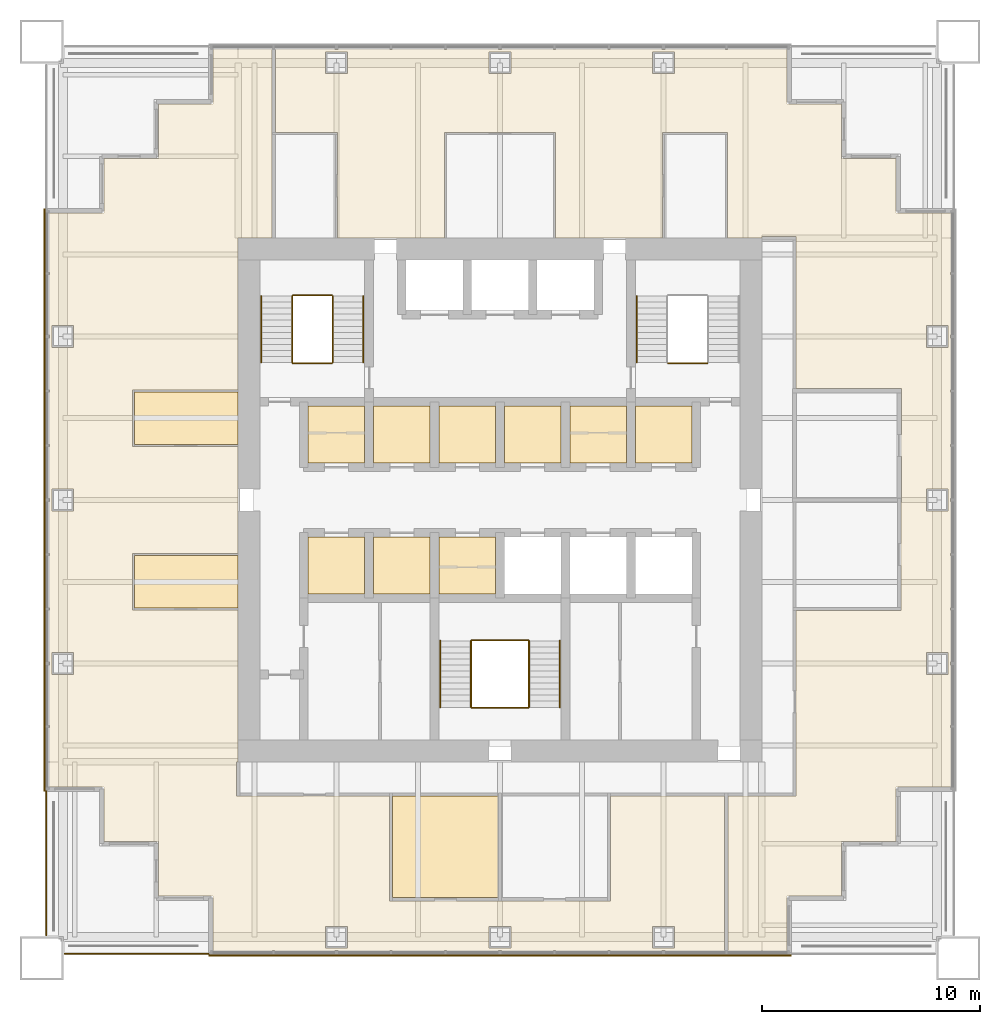
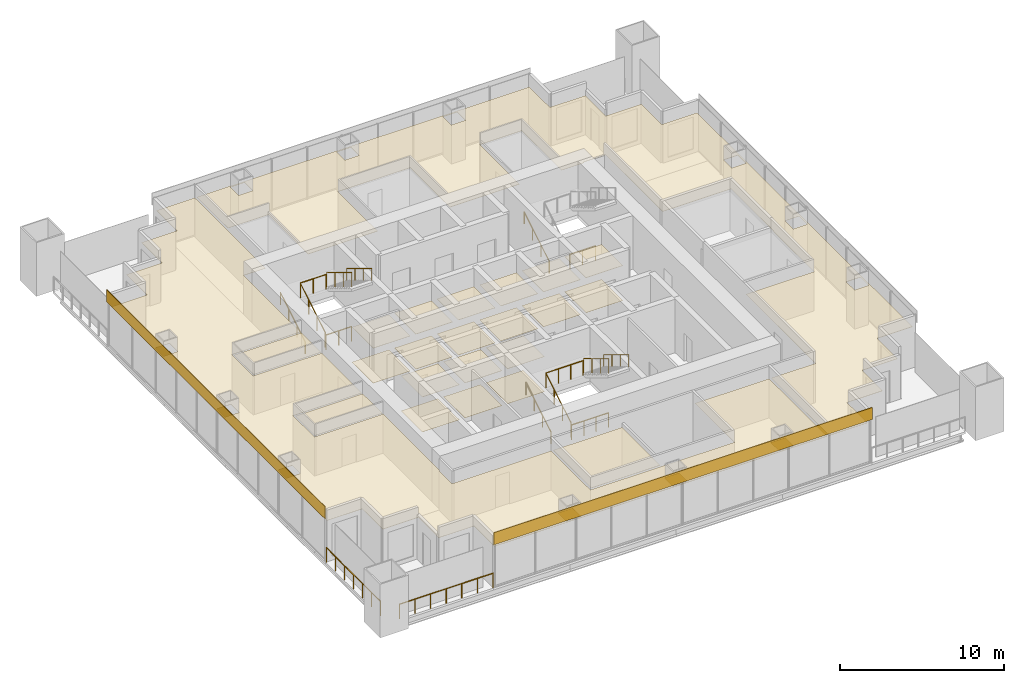
# One storey, part 13 of 14: 25 coverings, 16 railings.
"""IFC4 building model written with IfcOpenShell, lengths in metres."""

from ifc_helpers import new_model, si_unit, direction, frame, origin, origin_2d, place, context, subcontext, project, spatial, polyline, rectangle, circle, outline, extrude, material, layer, layer_set, type_object, element, save


model = new_model("IFC4")

# Units and contexts
model_context = context("Model", 3, precision=1e-05, world=origin(), true_north=direction((0.0, 1.0)))
body_context = subcontext(model_context, "Body", "Model", "MODEL_VIEW")
ifc_project = project(units=[si_unit("LENGTHUNIT", "METRE"), si_unit("AREAUNIT", "SQUARE_METRE"), si_unit("VOLUMEUNIT", "CUBIC_METRE"), si_unit("PLANEANGLEUNIT", "RADIAN"), si_unit("MASSUNIT", "GRAM", prefix="KILO")], contexts=[model_context])

# Site, building, storey
site_placement = place(None, origin())
site = spatial("IfcSite", under=ifc_project, at=site_placement, CompositionType="ELEMENT")
building_placement = place(site_placement, origin())
building = spatial("IfcBuilding", under=site, at=building_placement, Name="Tarangal Relay Tower", CompositionType="ELEMENT")
storey_placement = place(building_placement, frame((0.0, 0.0, 291.89990234375)))
storey = spatial("IfcBuildingStorey", under=building, at=storey_placement, Name="L64", CompositionType="ELEMENT", Elevation=291.89990234375)

# Coverings
ifc_material_1 = material(Name="Anti-static vinyl flooring", Category="plastic")
ifc_layer_1 = layer(ifc_material_1, 0.010009765625)
ifc_layer_set_1 = layer_set([ifc_layer_1], Name="Anti-static vinyl floor")
covering_type_1 = type_object("IfcCoveringType", Name="Anti-static vinyl floor", PredefinedType="FLOORING", material=ifc_layer_set_1)
covering_1_placement = place(storey_placement, origin())
element("IfcCovering", 1, at=covering_1_placement, inside=storey, type_object=covering_type_1, Name="Floor finish FL1 L64-D1", PredefinedType="FLOORING", context=body_context, shape_type="SweptSolid", body=[
    extrude(outline(polyline([(-8.800048828125, 1.699951171875), (-6.199951171875, 1.699951171875), (-6.199951171875, 4.300048828125), (-8.800048828125, 4.300048828125), (-8.800048828125, 1.699951171875)])), origin(), (0.0, 0.0, 1.0), 0.010009765625),
])
covering_2_placement = place(storey_placement, origin())
element("IfcCovering", 2, at=covering_2_placement, inside=storey, type_object=covering_type_1, Name="Floor finish FL1 L64-D2", PredefinedType="FLOORING", context=body_context, shape_type="SweptSolid", body=[
    extrude(outline(polyline([(-5.800048828125, 1.699951171875), (-3.199951171875, 1.699951171875), (-3.199951171875, 4.300048828125), (-5.800048828125, 4.300048828125), (-5.800048828125, 1.699951171875)])), origin(), (0.0, 0.0, 1.0), 0.010009765625),
])
covering_3_placement = place(storey_placement, origin())
element("IfcCovering", 3, at=covering_3_placement, inside=storey, type_object=covering_type_1, Name="Floor finish FL1 L64-D3", PredefinedType="FLOORING", context=body_context, shape_type="SweptSolid", body=[
    extrude(outline(polyline([(-2.800048828125, 1.699951171875), (-0.199951171875, 1.699951171875), (-0.199951171875, 4.300048828125), (-2.800048828125, 4.300048828125), (-2.800048828125, 1.699951171875)])), origin(), (0.0, 0.0, 1.0), 0.010009765625),
])
covering_4_placement = place(storey_placement, origin())
element("IfcCovering", 4, at=covering_4_placement, inside=storey, type_object=covering_type_1, Name="Floor finish FL1 L64-T1", PredefinedType="FLOORING", context=body_context, shape_type="SweptSolid", body=[
    extrude(outline(polyline([(0.199951171875, 1.699951171875), (2.800048828125, 1.699951171875), (2.800048828125, 4.300048828125), (0.199951171875, 4.300048828125), (0.199951171875, 1.699951171875)])), origin(), (0.0, 0.0, 1.0), 0.010009765625),
])
covering_5_placement = place(storey_placement, origin())
element("IfcCovering", 5, at=covering_5_placement, inside=storey, type_object=covering_type_1, Name="Floor finish FL1 L64-T2", PredefinedType="FLOORING", context=body_context, shape_type="SweptSolid", body=[
    extrude(outline(polyline([(3.199951171875, 1.699951171875), (5.800048828125, 1.699951171875), (5.800048828125, 4.300048828125), (3.199951171875, 4.300048828125), (3.199951171875, 1.699951171875)])), origin(), (0.0, 0.0, 1.0), 0.010009765625),
])
covering_6_placement = place(storey_placement, origin())
element("IfcCovering", 6, at=covering_6_placement, inside=storey, type_object=covering_type_1, Name="Floor finish FL1 L64-T3", PredefinedType="FLOORING", context=body_context, shape_type="SweptSolid", body=[
    extrude(outline(polyline([(6.199951171875, 1.699951171875), (8.800048828125, 1.699951171875), (8.800048828125, 4.300048828125), (6.199951171875, 4.300048828125), (6.199951171875, 1.699951171875)])), origin(), (0.0, 0.0, 1.0), 0.010009765625),
])
covering_7_placement = place(storey_placement, origin())
element("IfcCovering", 7, at=covering_7_placement, inside=storey, type_object=covering_type_1, Name="Floor finish FL1 L64-S1", PredefinedType="FLOORING", context=body_context, shape_type="SweptSolid", body=[
    extrude(outline(polyline([(-8.800048828125, -4.300048828125), (-6.199951171875, -4.300048828125), (-6.199951171875, -1.699951171875), (-8.800048828125, -1.699951171875), (-8.800048828125, -4.300048828125)])), origin(), (0.0, 0.0, 1.0), 0.010009765625),
])
covering_8_placement = place(storey_placement, origin())
element("IfcCovering", 8, at=covering_8_placement, inside=storey, type_object=covering_type_1, Name="Floor finish FL1 L64-S2", PredefinedType="FLOORING", context=body_context, shape_type="SweptSolid", body=[
    extrude(outline(polyline([(-5.800048828125, -4.300048828125), (-3.199951171875, -4.300048828125), (-3.199951171875, -1.699951171875), (-5.800048828125, -1.699951171875), (-5.800048828125, -4.300048828125)])), origin(), (0.0, 0.0, 1.0), 0.010009765625),
])
covering_9_placement = place(storey_placement, origin())
element("IfcCovering", 9, at=covering_9_placement, inside=storey, type_object=covering_type_1, Name="Floor finish FL1 L64-S3", PredefinedType="FLOORING", context=body_context, shape_type="SweptSolid", body=[
    extrude(outline(polyline([(-2.800048828125, -4.300048828125), (-0.199951171875, -4.300048828125), (-0.199951171875, -1.699951171875), (-2.800048828125, -1.699951171875), (-2.800048828125, -4.300048828125)])), origin(), (0.0, 0.0, 1.0), 0.010009765625),
])
ifc_material_2 = material(Name="Black anodised aluminium cladding", Category="aluminium")
ifc_layer_2 = layer(ifc_material_2, 0.050048828125)
ifc_layer_set_2 = layer_set([ifc_layer_2], Name="Black metal spandrel band")
covering_type_2 = type_object("IfcCoveringType", Name="Black metal spandrel band", PredefinedType="CLADDING", material=ifc_layer_set_2)
for number, where, z_axis, x_axis, name in (
    (10, (0.0, -20.875, 3.250244140625), (0.0, 0.0, 1.0), (-1.0, 0.0, 0.0), "Spandrel band SB1 S L64"),
    (11, (-20.875, 0.0, 3.250244140625), (0.0, 0.0, 1.0), (0.0, 1.0, 0.0), "Spandrel band SB1 W L64"),
):
    element("IfcCovering", number, at=place(storey_placement, frame(where, z_axis=z_axis, x_axis=x_axis)), inside=storey, type_object=covering_type_2, Name=name, PredefinedType="CLADDING", context=body_context, shape_type="SweptSolid", body=[
        extrude(rectangle(XDim=26.699951171875, YDim=0.050048828125, at=origin_2d()), origin(), (0.0, 0.0, 1.0), 0.89990234375),
    ])

# Railings
ifc_material_3 = material(Name="Steel guard, black finish", Category="steel")
railing_type_1 = type_object("IfcRailingType", Name="Stair guard 1100", PredefinedType="GUARDRAIL", material=ifc_material_3)
railing_1_placement = place(storey_placement, frame((-9.530029296875, 6.300048828125, 0.166748046875)))
element("IfcRailing", 12, at=railing_1_placement, inside=storey, type_object=railing_type_1, Name="Stair ST-A guard GR1 L64 flight 1", PredefinedType="GUARDRAIL", context=body_context, shape_type="SweptSolid", body=[
    extrude(circle(Radius=0.02392578125, at=origin_2d()), frame((0.0, 0.0, 1.076171875), z_axis=(0.0, 0.85685617095, 0.515555527858), x_axis=(-1.0, 0.0, 0.0)), (0.0, 0.0, 1.0), 3.555908203125),
    extrude(circle(Radius=0.02099609375, at=origin_2d()), origin(), (0.0, 0.0, 1.0), 1.052001953125),
    extrude(circle(Radius=0.02099609375, at=origin_2d()), frame((0.0, 1.015625, 0.611083984375)), (0.0, 0.0, 1.0), 1.052001953125),
    extrude(circle(Radius=0.02099609375, at=origin_2d()), frame((0.0, 2.03125, 1.22216796875)), (0.0, 0.0, 1.0), 1.052001953125),
    extrude(circle(Radius=0.02099609375, at=origin_2d()), frame((0.0, 3.046875, 1.833251953125)), (0.0, 0.0, 1.0), 1.052001953125),
])
railing_2_placement = place(storey_placement, frame((-7.669921875, 9.346923828125, 2.166748046875)))
element("IfcRailing", 13, at=railing_2_placement, inside=storey, type_object=railing_type_1, Name="Stair ST-A guard GR1 L64 flight 2", PredefinedType="GUARDRAIL", context=body_context, shape_type="SweptSolid", body=[
    extrude(circle(Radius=0.02392578125, at=origin_2d()), frame((0.0, 0.0, 1.076171875), z_axis=(0.0, -0.85685617095, 0.515555527858), x_axis=(1.0, 0.0, 0.0)), (0.0, 0.0, 1.0), 3.555908203125),
    extrude(circle(Radius=0.02099609375, at=origin_2d()), origin(), (0.0, 0.0, 1.0), 1.052001953125),
    extrude(circle(Radius=0.02099609375, at=origin_2d()), frame((0.0, -1.015625, 0.611083984375)), (0.0, 0.0, 1.0), 1.052001953125),
    extrude(circle(Radius=0.02099609375, at=origin_2d()), frame((0.0, -2.03125, 1.22216796875)), (0.0, 0.0, 1.0), 1.052001953125),
    extrude(circle(Radius=0.02099609375, at=origin_2d()), frame((0.0, -3.046875, 1.833251953125)), (0.0, 0.0, 1.0), 1.052001953125),
])
for number, where, name in (
    (14, (-9.5, 6.27001953125, 0.0), "Stair ST-A landing guard GR1 L64"),
    (15, (-9.5, 9.376953125, 2.0), "Stair ST-A landing guard GR1 L64"),
    (16, (7.699951171875, 6.27001953125, 0.0), "Stair ST-B landing guard GR1 L64"),
):
    element("IfcRailing", number, at=place(storey_placement, frame(where)), inside=storey, type_object=railing_type_1, Name=name, PredefinedType="GUARDRAIL", context=body_context, shape_type="SweptSolid", body=[
        extrude(circle(Radius=0.02392578125, at=origin_2d()), frame((0.0, 0.0, 1.076171875), z_axis=(1.0, 0.0, 0.0), x_axis=(0.0, 1.0, 0.0)), (0.0, 0.0, 1.0), 1.800048828125),
        extrude(circle(Radius=0.02099609375, at=origin_2d()), origin(), (0.0, 0.0, 1.0), 1.052001953125),
        extrude(circle(Radius=0.02099609375, at=origin_2d()), frame((0.89990234375, 0.0, 0.0)), (0.0, 0.0, 1.0), 1.052001953125),
        extrude(circle(Radius=0.02099609375, at=origin_2d()), frame((1.800048828125, 0.0, 0.0)), (0.0, 0.0, 1.0), 1.052001953125),
    ])
railing_3_placement = place(storey_placement, frame((-1.330078125, -9.5, 0.166748046875)))
element("IfcRailing", 17, at=railing_3_placement, inside=storey, type_object=railing_type_1, Name="Stair ST-C guard GR1 L64 flight 1", PredefinedType="GUARDRAIL", context=body_context, shape_type="SweptSolid", body=[
    extrude(circle(Radius=0.02392578125, at=origin_2d()), frame((0.0, 0.0, 1.076171875), z_axis=(0.0, 0.856874418557, 0.515525199018), x_axis=(-1.0, 0.0, 0.0)), (0.0, 0.0, 1.0), 3.55615234375),
    extrude(circle(Radius=0.02099609375, at=origin_2d()), origin(), (0.0, 0.0, 1.0), 1.052001953125),
    extrude(circle(Radius=0.02099609375, at=origin_2d()), frame((0.0, 1.015625, 0.611083984375)), (0.0, 0.0, 1.0), 1.052001953125),
    extrude(circle(Radius=0.02099609375, at=origin_2d()), frame((0.0, 2.031494140625, 1.22216796875)), (0.0, 0.0, 1.0), 1.052001953125),
    extrude(circle(Radius=0.02099609375, at=origin_2d()), frame((0.0, 3.047119140625, 1.833251953125)), (0.0, 0.0, 1.0), 1.052001953125),
])
railing_4_placement = place(storey_placement, frame((1.330078125, -6.452880859375, 2.166748046875)))
element("IfcRailing", 18, at=railing_4_placement, inside=storey, type_object=railing_type_1, Name="Stair ST-C guard GR1 L64 flight 2", PredefinedType="GUARDRAIL", context=body_context, shape_type="SweptSolid", body=[
    extrude(circle(Radius=0.02392578125, at=origin_2d()), frame((0.0, 0.0, 1.076171875), z_axis=(0.0, -0.856874418557, 0.515525199018), x_axis=(1.0, 0.0, 0.0)), (0.0, 0.0, 1.0), 3.55615234375),
    extrude(circle(Radius=0.02099609375, at=origin_2d()), origin(), (0.0, 0.0, 1.0), 1.052001953125),
    extrude(circle(Radius=0.02099609375, at=origin_2d()), frame((0.0, -1.015625, 0.611083984375)), (0.0, 0.0, 1.0), 1.052001953125),
    extrude(circle(Radius=0.02099609375, at=origin_2d()), frame((0.0, -2.031494140625, 1.22216796875)), (0.0, 0.0, 1.0), 1.052001953125),
    extrude(circle(Radius=0.02099609375, at=origin_2d()), frame((0.0, -3.047119140625, 1.833251953125)), (0.0, 0.0, 1.0), 1.052001953125),
])
for number, where, name in (
    (19, (-1.300048828125, -9.530029296875, 0.0), "Stair ST-C landing guard GR1 L64"),
    (20, (-1.300048828125, -6.423095703125, 2.0), "Stair ST-C landing guard GR1 L64"),
):
    element("IfcRailing", number, at=place(storey_placement, frame(where)), inside=storey, type_object=railing_type_1, Name=name, PredefinedType="GUARDRAIL", context=body_context, shape_type="SweptSolid", body=[
        extrude(circle(Radius=0.02392578125, at=origin_2d()), frame((0.0, 0.0, 1.076171875), z_axis=(1.0, 0.0, 0.0), x_axis=(0.0, 1.0, 0.0)), (0.0, 0.0, 1.0), 2.60009765625),
        extrude(circle(Radius=0.02099609375, at=origin_2d()), origin(), (0.0, 0.0, 1.0), 1.052001953125),
        extrude(circle(Radius=0.02099609375, at=origin_2d()), frame((0.86669921875, 0.0, 0.0)), (0.0, 0.0, 1.0), 1.052001953125),
        extrude(circle(Radius=0.02099609375, at=origin_2d()), frame((1.7333984375, 0.0, 0.0)), (0.0, 0.0, 1.0), 1.052001953125),
        extrude(circle(Radius=0.02099609375, at=origin_2d()), frame((2.60009765625, 0.0, 0.0)), (0.0, 0.0, 1.0), 1.052001953125),
    ])
ifc_material_4 = material(Name="Steel handrail, black finish", Category="steel")
railing_type_2 = type_object("IfcRailingType", Name="Stair handrail 900", PredefinedType="HANDRAIL", material=ifc_material_4)
railing_5_placement = place(storey_placement, frame((-10.93994140625, 6.300048828125, 0.166748046875)))
element("IfcRailing", 21, at=railing_5_placement, inside=storey, type_object=railing_type_2, Name="Stair ST-A handrail HR1 L64 flight 1", PredefinedType="HANDRAIL", context=body_context, shape_type="SweptSolid", body=[
    extrude(circle(Radius=0.02392578125, at=origin_2d()), frame((0.0, 0.0, 0.8759765625), z_axis=(0.0, 0.85685617095, 0.515555527858), x_axis=(-1.0, 0.0, 0.0)), (0.0, 0.0, 1.0), 3.555908203125),
    extrude(circle(Radius=0.02099609375, at=origin_2d()), origin(), (0.0, 0.0, 1.0), 0.851806640625),
    extrude(circle(Radius=0.02099609375, at=origin_2d()), frame((0.0, 1.015625, 0.611083984375)), (0.0, 0.0, 1.0), 0.851806640625),
    extrude(circle(Radius=0.02099609375, at=origin_2d()), frame((0.0, 2.03125, 1.22216796875)), (0.0, 0.0, 1.0), 0.851806640625),
    extrude(circle(Radius=0.02099609375, at=origin_2d()), frame((0.0, 3.046875, 1.833251953125)), (0.0, 0.0, 1.0), 0.851806640625),
])
railing_6_placement = place(storey_placement, frame((-6.260009765625, 9.346923828125, 2.166748046875)))
element("IfcRailing", 22, at=railing_6_placement, inside=storey, type_object=railing_type_2, Name="Stair ST-A handrail HR1 L64 flight 2", PredefinedType="HANDRAIL", context=body_context, shape_type="SweptSolid", body=[
    extrude(circle(Radius=0.02392578125, at=origin_2d()), frame((0.0, 0.0, 0.8759765625), z_axis=(0.0, -0.85685617095, 0.515555527858), x_axis=(1.0, 0.0, 0.0)), (0.0, 0.0, 1.0), 3.555908203125),
    extrude(circle(Radius=0.02099609375, at=origin_2d()), origin(), (0.0, 0.0, 1.0), 0.851806640625),
    extrude(circle(Radius=0.02099609375, at=origin_2d()), frame((0.0, -1.015625, 0.611083984375)), (0.0, 0.0, 1.0), 0.851806640625),
    extrude(circle(Radius=0.02099609375, at=origin_2d()), frame((0.0, -2.03125, 1.22216796875)), (0.0, 0.0, 1.0), 0.851806640625),
    extrude(circle(Radius=0.02099609375, at=origin_2d()), frame((0.0, -3.046875, 1.833251953125)), (0.0, 0.0, 1.0), 0.851806640625),
])
railing_7_placement = place(storey_placement, frame((6.260009765625, 6.300048828125, 0.166748046875)))
element("IfcRailing", 23, at=railing_7_placement, inside=storey, type_object=railing_type_2, Name="Stair ST-B handrail HR1 L64 flight 1", PredefinedType="HANDRAIL", context=body_context, shape_type="SweptSolid", body=[
    extrude(circle(Radius=0.02392578125, at=origin_2d()), frame((0.0, 0.0, 0.8759765625), z_axis=(0.0, 0.85685617095, 0.515555527858), x_axis=(-1.0, 0.0, 0.0)), (0.0, 0.0, 1.0), 3.555908203125),
    extrude(circle(Radius=0.02099609375, at=origin_2d()), origin(), (0.0, 0.0, 1.0), 0.851806640625),
    extrude(circle(Radius=0.02099609375, at=origin_2d()), frame((0.0, 1.015625, 0.611083984375)), (0.0, 0.0, 1.0), 0.851806640625),
    extrude(circle(Radius=0.02099609375, at=origin_2d()), frame((0.0, 2.03125, 1.22216796875)), (0.0, 0.0, 1.0), 0.851806640625),
    extrude(circle(Radius=0.02099609375, at=origin_2d()), frame((0.0, 3.046875, 1.833251953125)), (0.0, 0.0, 1.0), 0.851806640625),
])
railing_8_placement = place(storey_placement, frame((-2.739990234375, -9.5, 0.166748046875)))
element("IfcRailing", 24, at=railing_8_placement, inside=storey, type_object=railing_type_2, Name="Stair ST-C handrail HR1 L64 flight 1", PredefinedType="HANDRAIL", context=body_context, shape_type="SweptSolid", body=[
    extrude(circle(Radius=0.02392578125, at=origin_2d()), frame((0.0, 0.0, 0.8759765625), z_axis=(0.0, 0.856874418557, 0.515525199018), x_axis=(-1.0, 0.0, 0.0)), (0.0, 0.0, 1.0), 3.55615234375),
    extrude(circle(Radius=0.02099609375, at=origin_2d()), origin(), (0.0, 0.0, 1.0), 0.851806640625),
    extrude(circle(Radius=0.02099609375, at=origin_2d()), frame((0.0, 1.015625, 0.611083984375)), (0.0, 0.0, 1.0), 0.851806640625),
    extrude(circle(Radius=0.02099609375, at=origin_2d()), frame((0.0, 2.031494140625, 1.22216796875)), (0.0, 0.0, 1.0), 0.851806640625),
    extrude(circle(Radius=0.02099609375, at=origin_2d()), frame((0.0, 3.047119140625, 1.833251953125)), (0.0, 0.0, 1.0), 0.851806640625),
])
railing_9_placement = place(storey_placement, frame((2.739990234375, -6.452880859375, 2.166748046875)))
element("IfcRailing", 25, at=railing_9_placement, inside=storey, type_object=railing_type_2, Name="Stair ST-C handrail HR1 L64 flight 2", PredefinedType="HANDRAIL", context=body_context, shape_type="SweptSolid", body=[
    extrude(circle(Radius=0.02392578125, at=origin_2d()), frame((0.0, 0.0, 0.8759765625), z_axis=(0.0, -0.856874418557, 0.515525199018), x_axis=(1.0, 0.0, 0.0)), (0.0, 0.0, 1.0), 3.55615234375),
    extrude(circle(Radius=0.02099609375, at=origin_2d()), origin(), (0.0, 0.0, 1.0), 0.851806640625),
    extrude(circle(Radius=0.02099609375, at=origin_2d()), frame((0.0, -1.015625, 0.611083984375)), (0.0, 0.0, 1.0), 0.851806640625),
    extrude(circle(Radius=0.02099609375, at=origin_2d()), frame((0.0, -2.031494140625, 1.22216796875)), (0.0, 0.0, 1.0), 0.851806640625),
    extrude(circle(Radius=0.02099609375, at=origin_2d()), frame((0.0, -3.047119140625, 1.833251953125)), (0.0, 0.0, 1.0), 0.851806640625),
])

# Coverings
ifc_material_5 = material(Name="Mineral fibre ceiling tiles", Category="gypsum")
ifc_layer_3 = layer(ifc_material_5, 0.02001953125)
ifc_layer_set_3 = layer_set([ifc_layer_3], Name="Suspended ceiling")
covering_type_3 = type_object("IfcCoveringType", Name="Suspended ceiling", PredefinedType="CEILING", material=ifc_layer_set_3)
covering_10_placement = place(storey_placement, frame((0.0, 0.0, 2.60009765625)))
element("IfcCovering", 26, at=covering_10_placement, inside=storey, type_object=covering_type_3, Name="Suspended ceiling CL1 L64-D1", PredefinedType="CEILING", context=body_context, shape_type="SweptSolid", body=[
    extrude(outline(polyline([(-8.800048828125, 1.699951171875), (-6.199951171875, 1.699951171875), (-6.199951171875, 4.300048828125), (-8.800048828125, 4.300048828125), (-8.800048828125, 1.699951171875)])), origin(), (0.0, 0.0, 1.0), 0.02001953125),
])
covering_11_placement = place(storey_placement, frame((0.0, 0.0, 2.60009765625)))
element("IfcCovering", 27, at=covering_11_placement, inside=storey, type_object=covering_type_3, Name="Suspended ceiling CL1 L64-D2", PredefinedType="CEILING", context=body_context, shape_type="SweptSolid", body=[
    extrude(outline(polyline([(-5.800048828125, 1.699951171875), (-3.199951171875, 1.699951171875), (-3.199951171875, 4.300048828125), (-5.800048828125, 4.300048828125), (-5.800048828125, 1.699951171875)])), origin(), (0.0, 0.0, 1.0), 0.02001953125),
])
covering_12_placement = place(storey_placement, frame((0.0, 0.0, 2.60009765625)))
element("IfcCovering", 28, at=covering_12_placement, inside=storey, type_object=covering_type_3, Name="Suspended ceiling CL1 L64-D3", PredefinedType="CEILING", context=body_context, shape_type="SweptSolid", body=[
    extrude(outline(polyline([(-2.800048828125, 1.699951171875), (-0.199951171875, 1.699951171875), (-0.199951171875, 4.300048828125), (-2.800048828125, 4.300048828125), (-2.800048828125, 1.699951171875)])), origin(), (0.0, 0.0, 1.0), 0.02001953125),
])
covering_13_placement = place(storey_placement, frame((0.0, 0.0, 2.60009765625)))
element("IfcCovering", 29, at=covering_13_placement, inside=storey, type_object=covering_type_3, Name="Suspended ceiling CL1 L64-T1", PredefinedType="CEILING", context=body_context, shape_type="SweptSolid", body=[
    extrude(outline(polyline([(0.199951171875, 1.699951171875), (2.800048828125, 1.699951171875), (2.800048828125, 4.300048828125), (0.199951171875, 4.300048828125), (0.199951171875, 1.699951171875)])), origin(), (0.0, 0.0, 1.0), 0.02001953125),
])
covering_14_placement = place(storey_placement, frame((0.0, 0.0, 2.60009765625)))
element("IfcCovering", 30, at=covering_14_placement, inside=storey, type_object=covering_type_3, Name="Suspended ceiling CL1 L64-T2", PredefinedType="CEILING", context=body_context, shape_type="SweptSolid", body=[
    extrude(outline(polyline([(3.199951171875, 1.699951171875), (5.800048828125, 1.699951171875), (5.800048828125, 4.300048828125), (3.199951171875, 4.300048828125), (3.199951171875, 1.699951171875)])), origin(), (0.0, 0.0, 1.0), 0.02001953125),
])
covering_15_placement = place(storey_placement, frame((0.0, 0.0, 2.60009765625)))
element("IfcCovering", 31, at=covering_15_placement, inside=storey, type_object=covering_type_3, Name="Suspended ceiling CL1 L64-T3", PredefinedType="CEILING", context=body_context, shape_type="SweptSolid", body=[
    extrude(outline(polyline([(6.199951171875, 1.699951171875), (8.800048828125, 1.699951171875), (8.800048828125, 4.300048828125), (6.199951171875, 4.300048828125), (6.199951171875, 1.699951171875)])), origin(), (0.0, 0.0, 1.0), 0.02001953125),
])
covering_16_placement = place(storey_placement, frame((0.0, 0.0, 2.60009765625)))
element("IfcCovering", 32, at=covering_16_placement, inside=storey, type_object=covering_type_3, Name="Suspended ceiling CL1 L64-S1", PredefinedType="CEILING", context=body_context, shape_type="SweptSolid", body=[
    extrude(outline(polyline([(-8.800048828125, -4.300048828125), (-6.199951171875, -4.300048828125), (-6.199951171875, -1.699951171875), (-8.800048828125, -1.699951171875), (-8.800048828125, -4.300048828125)])), origin(), (0.0, 0.0, 1.0), 0.02001953125),
])
covering_17_placement = place(storey_placement, frame((0.0, 0.0, 2.60009765625)))
element("IfcCovering", 33, at=covering_17_placement, inside=storey, type_object=covering_type_3, Name="Suspended ceiling CL1 L64-S2", PredefinedType="CEILING", context=body_context, shape_type="SweptSolid", body=[
    extrude(outline(polyline([(-5.800048828125, -4.300048828125), (-3.199951171875, -4.300048828125), (-3.199951171875, -1.699951171875), (-5.800048828125, -1.699951171875), (-5.800048828125, -4.300048828125)])), origin(), (0.0, 0.0, 1.0), 0.02001953125),
])
covering_18_placement = place(storey_placement, frame((0.0, 0.0, 2.60009765625)))
element("IfcCovering", 34, at=covering_18_placement, inside=storey, type_object=covering_type_3, Name="Suspended ceiling CL1 L64-S3", PredefinedType="CEILING", context=body_context, shape_type="SweptSolid", body=[
    extrude(outline(polyline([(-2.800048828125, -4.300048828125), (-0.199951171875, -4.300048828125), (-0.199951171875, -1.699951171875), (-2.800048828125, -1.699951171875), (-2.800048828125, -4.300048828125)])), origin(), (0.0, 0.0, 1.0), 0.02001953125),
])
covering_19_placement = place(storey_placement, frame((0.0, 0.0, 2.900146484375)))
element("IfcCovering", 35, at=covering_19_placement, inside=storey, type_object=covering_type_3, Name="Suspended ceiling CL1 L64-08", PredefinedType="CEILING", context=body_context, shape_type="SweptSolid", body=[
    extrude(outline(polyline([(-0.074951171875, -13.574951171875), (-4.925048828125, -13.574951171875), (-4.925048828125, -18.22509765625), (-0.074951171875, -18.22509765625), (-0.074951171875, -13.574951171875)])), origin(), (0.0, 0.0, 1.0), 0.02001953125),
])
covering_20_placement = place(storey_placement, frame((0.0, 0.0, 2.900146484375)))
element("IfcCovering", 36, at=covering_20_placement, inside=storey, type_object=covering_type_3, Name="Suspended ceiling CL1 L64-09", PredefinedType="CEILING", context=body_context, shape_type="SweptSolid", body=[
    extrude(outline(polyline([(-12.0, -2.550048828125), (-16.75, -2.550048828125), (-16.75, -4.949951171875), (-12.0, -4.949951171875), (-12.0, -2.550048828125)])), origin(), (0.0, 0.0, 1.0), 0.02001953125),
])
covering_21_placement = place(storey_placement, frame((0.0, 0.0, 2.900146484375)))
element("IfcCovering", 37, at=covering_21_placement, inside=storey, type_object=covering_type_3, Name="Suspended ceiling CL1 L64-10", PredefinedType="CEILING", context=body_context, shape_type="SweptSolid", body=[
    extrude(outline(polyline([(-12.0, 4.949951171875), (-16.75, 4.949951171875), (-16.75, 2.550048828125), (-12.0, 2.550048828125), (-12.0, 4.949951171875)])), origin(), (0.0, 0.0, 1.0), 0.02001953125),
])
covering_22_placement = place(storey_placement, frame((0.0, 0.0, 2.900146484375)))
element("IfcCovering", 38, at=covering_22_placement, inside=storey, type_object=covering_type_3, Name="Suspended ceiling CL1 L64-11", PredefinedType="CEILING", context=body_context, shape_type="SweptSolid", body=[
    extrude(outline(polyline([(7.449951171875, 12.0), (7.449951171875, 16.85009765625), (10.425048828125, 16.85009765625), (10.425048828125, 12.0), (12.0, 12.0), (12.0, 12.074951171875), (13.574951171875, 12.074951171875), (13.574951171875, 5.10009765625), (18.39990234375, 5.10009765625), (18.39990234375, -0.10009765625), (18.375, -0.10009765625), (18.375, -5.074951171875), (13.574951171875, -5.074951171875), (13.574951171875, -13.574951171875), (10.449951171875, -13.574951171875), (10.449951171875, -20.64990234375), (13.14990234375, -20.64990234375), (13.14990234375, -18.14990234375), (15.64990234375, -18.14990234375), (15.64990234375, -15.64990234375), (18.14990234375, -15.64990234375), (18.14990234375, -13.14990234375), (20.64990234375, -13.14990234375), (20.64990234375, 13.14990234375), (18.14990234375, 13.14990234375), (18.14990234375, 15.64990234375), (15.64990234375, 15.64990234375), (15.64990234375, 18.14990234375), (13.14990234375, 18.14990234375), (13.14990234375, 20.64990234375), (-10.300048828125, 20.64990234375), (-10.300048828125, 16.85009765625), (-7.449951171875, 16.85009765625), (-7.449951171875, 12.0), (-2.550048828125, 12.0), (-2.550048828125, 16.85009765625), (2.550048828125, 16.85009765625), (2.550048828125, 12.0), (7.449951171875, 12.0)]), holes=[polyline([(19.5400390625, -8.0), (20.5400390625, -8.0), (20.5400390625, -7.0), (19.5400390625, -7.0), (19.5400390625, -8.0)]), polyline([(19.5400390625, 0.5), (19.5400390625, -0.5), (20.5400390625, -0.5), (20.5400390625, 0.5), (19.5400390625, 0.5)]), polyline([(19.5400390625, 8.0), (19.5400390625, 7.0), (20.5400390625, 7.0), (20.5400390625, 8.0), (19.5400390625, 8.0)]), polyline([(-8.0, 19.5400390625), (-7.0, 19.5400390625), (-7.0, 20.5400390625), (-8.0, 20.5400390625), (-8.0, 19.5400390625)]), polyline([(-0.5, 20.5400390625), (-0.5, 19.5400390625), (0.5, 19.5400390625), (0.5, 20.5400390625), (-0.5, 20.5400390625)]), polyline([(7.0, 20.5400390625), (7.0, 19.5400390625), (8.0, 19.5400390625), (8.0, 20.5400390625), (7.0, 20.5400390625)])]), origin(), (0.0, 0.0, 1.0), 0.02001953125),
])
covering_23_placement = place(storey_placement, frame((0.0, 0.0, 2.900146484375)))
element("IfcCovering", 39, at=covering_23_placement, inside=storey, type_object=covering_type_3, Name="Suspended ceiling CL1 L64-12", PredefinedType="CEILING", context=body_context, shape_type="SweptSolid", body=[
    extrude(outline(polyline([(-12.0, 12.0), (-10.449951171875, 12.0), (-10.449951171875, 20.64990234375), (-13.14990234375, 20.64990234375), (-13.14990234375, 18.14990234375), (-15.64990234375, 18.14990234375), (-15.64990234375, 15.64990234375), (-18.14990234375, 15.64990234375), (-18.14990234375, 13.14990234375), (-20.64990234375, 13.14990234375), (-20.64990234375, -13.14990234375), (-18.14990234375, -13.14990234375), (-18.14990234375, -15.64990234375), (-15.64990234375, -15.64990234375), (-15.64990234375, -18.14990234375), (-13.14990234375, -18.14990234375), (-13.14990234375, -20.64990234375), (10.300048828125, -20.64990234375), (10.300048828125, -13.574951171875), (5.074951171875, -13.574951171875), (5.074951171875, -18.375), (-5.074951171875, -18.375), (-5.074951171875, -13.574951171875), (-12.074951171875, -13.574951171875), (-12.074951171875, -12.0), (-12.0, -12.0), (-12.0, -5.050048828125), (-16.85009765625, -5.050048828125), (-16.85009765625, -2.449951171875), (-12.0, -2.449951171875), (-12.0, 2.449951171875), (-16.85009765625, 2.449951171875), (-16.85009765625, 5.050048828125), (-12.0, 5.050048828125), (-12.0, 12.0)]), holes=[polyline([(-8.0, -20.5400390625), (-7.0, -20.5400390625), (-7.0, -19.5400390625), (-8.0, -19.5400390625), (-8.0, -20.5400390625)]), polyline([(-0.5, -19.5400390625), (-0.5, -20.5400390625), (0.5, -20.5400390625), (0.5, -19.5400390625), (-0.5, -19.5400390625)]), polyline([(7.0, -19.5400390625), (7.0, -20.5400390625), (8.0, -20.5400390625), (8.0, -19.5400390625), (7.0, -19.5400390625)]), polyline([(-20.5400390625, -8.0), (-19.5400390625, -8.0), (-19.5400390625, -7.0), (-20.5400390625, -7.0), (-20.5400390625, -8.0)]), polyline([(-20.5400390625, 0.5), (-20.5400390625, -0.5), (-19.5400390625, -0.5), (-19.5400390625, 0.5), (-20.5400390625, 0.5)]), polyline([(-20.5400390625, 8.0), (-20.5400390625, 7.0), (-19.5400390625, 7.0), (-19.5400390625, 8.0), (-20.5400390625, 8.0)])]), origin(), (0.0, 0.0, 1.0), 0.02001953125),
])

# Railings
ifc_material_6 = material(Name="Black steel guard with glass infill", Category="steel")
railing_type_3 = type_object("IfcRailingType", Name="Terrace guard 1100", PredefinedType="GUARDRAIL", material=ifc_material_6)
railing_10_placement = place(storey_placement, frame((-13.35009765625, -20.800048828125, 0.0)))
element("IfcRailing", 40, at=railing_10_placement, inside=storey, type_object=railing_type_3, Name="Terrace guard GR2 SW L64", PredefinedType="GUARDRAIL", context=body_context, shape_type="SweptSolid", body=[
    extrude(circle(Radius=0.02392578125, at=origin_2d()), frame((0.0, 0.0, 1.076171875), z_axis=(-1.0, 0.0, 0.0), x_axis=(0.0, -1.0, 0.0)), (0.0, 0.0, 1.0), 6.599853515625),
    extrude(circle(Radius=0.02099609375, at=origin_2d()), origin(), (0.0, 0.0, 1.0), 1.052001953125),
    extrude(circle(Radius=0.02099609375, at=origin_2d()), frame((-1.10009765625, 0.0, 0.0)), (0.0, 0.0, 1.0), 1.052001953125),
    extrude(circle(Radius=0.02099609375, at=origin_2d()), frame((-2.199951171875, 0.0, 0.0)), (0.0, 0.0, 1.0), 1.052001953125),
    extrude(circle(Radius=0.02099609375, at=origin_2d()), frame((-3.2998046875, 0.0, 0.0)), (0.0, 0.0, 1.0), 1.052001953125),
    extrude(circle(Radius=0.02099609375, at=origin_2d()), frame((-4.39990234375, 0.0, 0.0)), (0.0, 0.0, 1.0), 1.052001953125),
    extrude(circle(Radius=0.02099609375, at=origin_2d()), frame((-5.5, 0.0, 0.0)), (0.0, 0.0, 1.0), 1.052001953125),
    extrude(circle(Radius=0.02099609375, at=origin_2d()), frame((-6.599853515625, 0.0, 0.0)), (0.0, 0.0, 1.0), 1.052001953125),
])
railing_11_placement = place(storey_placement, frame((-20.800048828125, -19.949951171875, 0.0)))
element("IfcRailing", 41, at=railing_11_placement, inside=storey, type_object=railing_type_3, Name="Terrace guard GR2 SW L64", PredefinedType="GUARDRAIL", context=body_context, shape_type="SweptSolid", body=[
    extrude(circle(Radius=0.02392578125, at=origin_2d()), frame((0.0, 0.0, 1.076171875), z_axis=(0.0, 1.0, 0.0), x_axis=(-1.0, 0.0, 0.0)), (0.0, 0.0, 1.0), 6.599853515625),
    extrude(circle(Radius=0.02099609375, at=origin_2d()), origin(), (0.0, 0.0, 1.0), 1.052001953125),
    extrude(circle(Radius=0.02099609375, at=origin_2d()), frame((0.0, 1.10009765625, 0.0)), (0.0, 0.0, 1.0), 1.052001953125),
    extrude(circle(Radius=0.02099609375, at=origin_2d()), frame((0.0, 2.199951171875, 0.0)), (0.0, 0.0, 1.0), 1.052001953125),
    extrude(circle(Radius=0.02099609375, at=origin_2d()), frame((0.0, 3.2998046875, 0.0)), (0.0, 0.0, 1.0), 1.052001953125),
    extrude(circle(Radius=0.02099609375, at=origin_2d()), frame((0.0, 4.39990234375, 0.0)), (0.0, 0.0, 1.0), 1.052001953125),
    extrude(circle(Radius=0.02099609375, at=origin_2d()), frame((0.0, 5.5, 0.0)), (0.0, 0.0, 1.0), 1.052001953125),
    extrude(circle(Radius=0.02099609375, at=origin_2d()), frame((0.0, 6.599853515625, 0.0)), (0.0, 0.0, 1.0), 1.052001953125),
])

save(model, "model.ifc")
